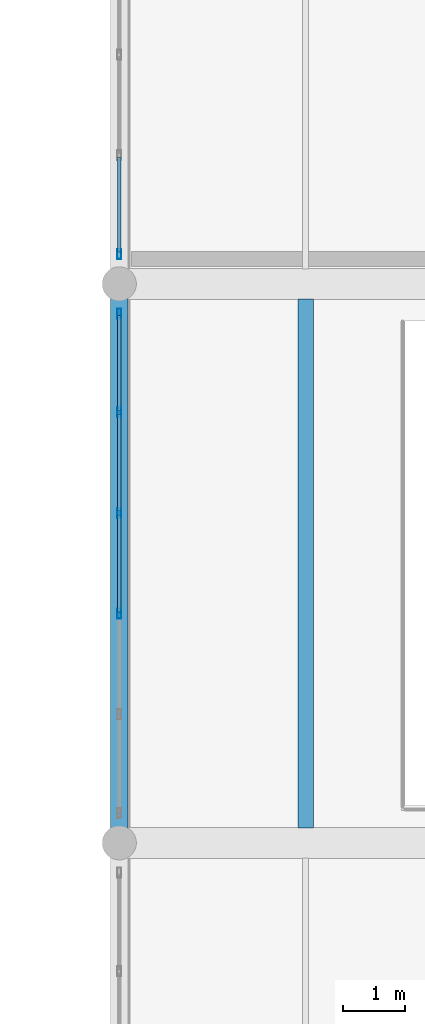
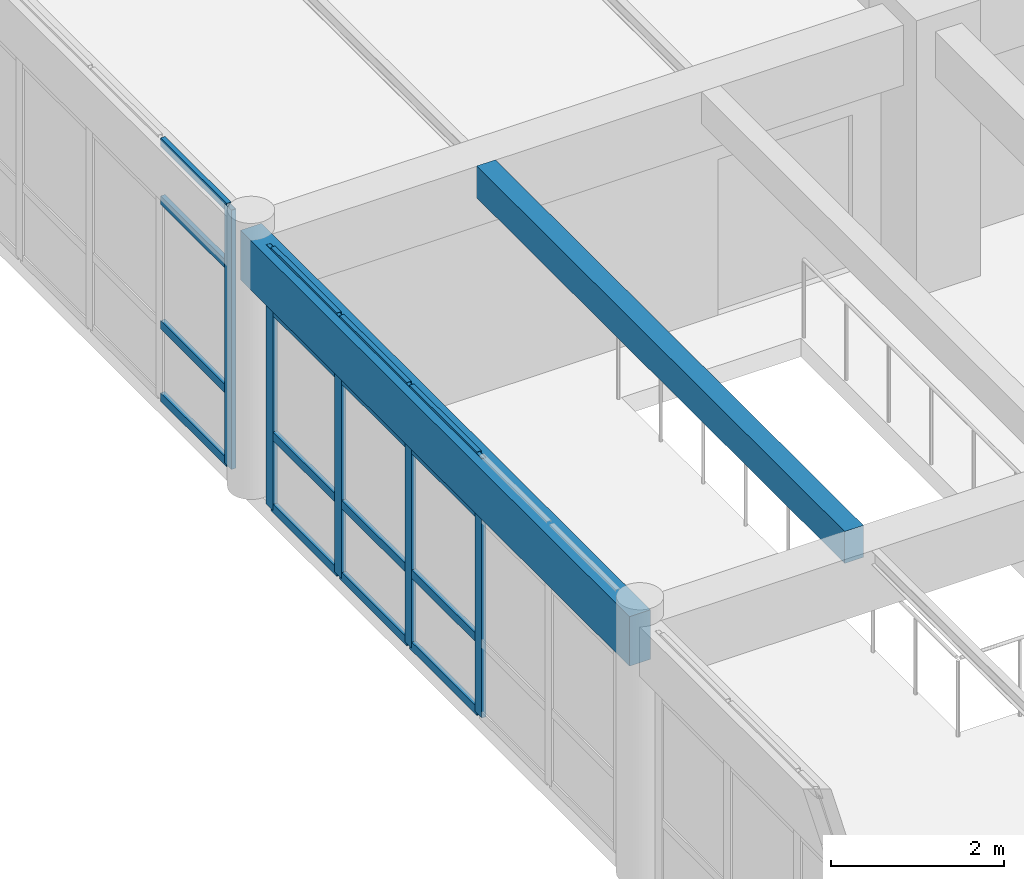
# One storey, part 37 of 156: 21 members, 2 beams, 2 elements without a shape of their own.
"""IFC4 building model written with IfcOpenShell, lengths in metres."""

from ifc_helpers import new_model, si_unit, direction, frame, origin, origin_2d, place, context, subcontext, project, spatial, rectangle, hollow_rectangle, extrude, material, layer, layer_set, material_profile, profile_set, type_object, element, aggregate, save


model = new_model("IFC4")

# Units and contexts
model_context = context("Model", 3, precision=1e-05, world=origin(), true_north=direction((0.0, 1.0)))
body_context = subcontext(model_context, "Body", "Model", "MODEL_VIEW")
ifc_project = project(units=[si_unit("LENGTHUNIT", "METRE"), si_unit("AREAUNIT", "SQUARE_METRE"), si_unit("VOLUMEUNIT", "CUBIC_METRE"), si_unit("PLANEANGLEUNIT", "RADIAN"), si_unit("MASSUNIT", "GRAM", prefix="KILO")], contexts=[model_context])

# Site, building, storey
site_placement = place(None, origin())
site = spatial("IfcSite", under=ifc_project, at=site_placement, CompositionType="ELEMENT")
building_placement = place(site_placement, origin())
building = spatial("IfcBuilding", under=site, at=building_placement, Name="Ornek Quay Market", CompositionType="ELEMENT")
storey_placement = place(building_placement, frame((0.0, 0.0, 4.5)))
storey = spatial("IfcBuildingStorey", under=building, at=storey_placement, Name="L01", CompositionType="ELEMENT", Elevation=4.5)

# Beams
ifc_material_1 = material(Name="Concrete C35/45", Category="concrete")
ifc_material_profile_1 = material_profile(ifc_material_1, rectangle(XDim=0.25, YDim=0.449951171875, at=origin_2d()), Name="RC 250x450", Category="concrete")
ifc_profile_set_1 = profile_set([ifc_material_profile_1], Name="Concrete C35/45")
beam_type_1 = type_object("IfcBeamType", Name="BM-SEC-250x450", PredefinedType="JOIST", material=ifc_profile_set_1)
beam_1_placement = place(storey_placement, frame((111.0, 47.241943359375, 3.43505859375), z_axis=(0.0, 1.0, 0.0), x_axis=(-1.0, 0.0, 0.0)))
element("IfcBeam", 1, at=beam_1_placement, inside=storey, type_object=beam_type_1, Name="Secondary joist B-SC3-027", PredefinedType="JOIST", context=body_context, shape_type="SweptSolid", body=[
    extrude(rectangle(XDim=0.25, YDim=0.449951171875, at=origin_2d()), origin(), (0.0, 0.0, 1.0), 8.51611328125),
])
ifc_material_profile_2 = material_profile(ifc_material_1, rectangle(XDim=0.280029296875, YDim=0.699951171875, at=origin_2d()), Name="RC 280x700", Category="concrete")
ifc_profile_set_2 = profile_set([ifc_material_profile_2], Name="Concrete C35/45")
beam_type_2 = type_object("IfcBeamType", Name="BM-SPN-280x700", PredefinedType="SPANDREL", material=ifc_profile_set_2)
beam_2_placement = place(storey_placement, frame((108.0, 47.0, 3.31005859375), z_axis=(0.0, 1.0, 0.0), x_axis=(-1.0, 0.0, 0.0)))
element("IfcBeam", 2, at=beam_2_placement, inside=storey, type_object=beam_type_2, Name="Primary beam B-SP2-075", PredefinedType="SPANDREL", context=body_context, shape_type="SweptSolid", body=[
    extrude(rectangle(XDim=0.280029296875, YDim=0.699951171875, at=origin_2d()), origin(), (0.0, 0.0, 1.0), 9.0),
])

# Curtain wall, members
ifc_material_2 = material(Name="Anodised bronze aluminium and triple low-e glass", Category="aluminium")
ifc_layer = layer(ifc_material_2, 0.139892578125, Name="Anodised bronze aluminium and triple low-e glass", Category="aluminium")
ifc_layer_set = layer_set([ifc_layer], Name="Anodised bronze aluminium and triple low-e glass")
curtain_wall_type = type_object("IfcCurtainWallType", Name="CW-GALLERY-INT", PredefinedType="USERDEFINED", material=ifc_layer_set)
curtain_wall_1_placement = place(storey_placement, origin())
curtain_wall_1 = element("IfcCurtainWall", 3, at=curtain_wall_1_placement, inside=storey, type_object=curtain_wall_type, Name="Curtain wall CW-105", ObjectType="CURTAIN WALL", PredefinedType="USERDEFINED")
ifc_material_3 = material(Name="Anodised aluminium 6063-T6", Category="aluminium")
ifc_material_profile_3 = material_profile(ifc_material_3, hollow_rectangle(XDim=0.06005859375, YDim=0.159912109375, WallThickness=0.00390625, at=origin_2d()), Name="CW-MUL-60x160", Category="aluminium")
ifc_profile_set_3 = profile_set([ifc_material_profile_3], Name="Anodised aluminium 6063-T6")
member_type_1 = type_object("IfcMemberType", Name="CW-MUL-60x160", PredefinedType="MULLION", material=ifc_profile_set_3)
member_1_placement = place(storey_placement, frame((108.0, 50.68994140625, 0.0), z_axis=(0.0, 0.0, 1.0), x_axis=(-1.0, 0.0, 0.0)))
member_1 = element("IfcMember", 4, at=member_1_placement, type_object=member_type_1, Name="CW-105 mullion 3", PredefinedType="MULLION", context=body_context, shape_type="SweptSolid", body=[
    extrude(hollow_rectangle(XDim=0.06005859375, YDim=0.159912109375, WallThickness=0.00390625, at=origin_2d()), origin(), (0.0, 0.0, 1.0), 3.659912109375),
])
member_2_placement = place(storey_placement, frame((108.0, 52.31005859375, 0.0), z_axis=(0.0, 0.0, 1.0), x_axis=(-1.0, 0.0, 0.0)))
member_2 = element("IfcMember", 5, at=member_2_placement, type_object=member_type_1, Name="CW-105 mullion 4", PredefinedType="MULLION", context=body_context, shape_type="SweptSolid", body=[
    extrude(hollow_rectangle(XDim=0.06005859375, YDim=0.159912109375, WallThickness=0.00390625, at=origin_2d()), origin(), (0.0, 0.0, 1.0), 3.659912109375),
])
member_3_placement = place(storey_placement, frame((108.0, 53.929931640625, 0.0), z_axis=(0.0, 0.0, 1.0), x_axis=(-1.0, 0.0, 0.0)))
member_3 = element("IfcMember", 6, at=member_3_placement, type_object=member_type_1, Name="CW-105 mullion 5", PredefinedType="MULLION", context=body_context, shape_type="SweptSolid", body=[
    extrude(hollow_rectangle(XDim=0.06005859375, YDim=0.159912109375, WallThickness=0.00390625, at=origin_2d()), origin(), (0.0, 0.0, 1.0), 3.659912109375),
])
member_4_placement = place(storey_placement, frame((108.0, 55.52001953125, 0.0), z_axis=(0.0, 0.0, 1.0), x_axis=(-1.0, 0.0, 0.0)))
member_4 = element("IfcMember", 7, at=member_4_placement, type_object=member_type_1, Name="CW-105 mullion 6", PredefinedType="MULLION", context=body_context, shape_type="SweptSolid", body=[
    extrude(hollow_rectangle(XDim=0.06005859375, YDim=0.159912109375, WallThickness=0.00390625, at=origin_2d()), origin(), (0.0, 0.0, 1.0), 3.659912109375),
])

# Curtain wall, member
curtain_wall_2_placement = place(storey_placement, origin())
curtain_wall_2 = element("IfcCurtainWall", 8, at=curtain_wall_2_placement, inside=storey, type_object=curtain_wall_type, Name="Curtain wall CW-106", ObjectType="CURTAIN WALL", PredefinedType="USERDEFINED")
member_5_placement = place(storey_placement, frame((108.0, 56.47998046875, 0.0), z_axis=(0.0, 0.0, 1.0), x_axis=(-1.0, 0.0, 0.0)))
member_5 = element("IfcMember", 9, at=member_5_placement, type_object=member_type_1, Name="CW-106 mullion 1", PredefinedType="MULLION", context=body_context, shape_type="SweptSolid", body=[
    extrude(hollow_rectangle(XDim=0.06005859375, YDim=0.159912109375, WallThickness=0.00390625, at=origin_2d()), origin(), (0.0, 0.0, 1.0), 3.659912109375),
])

# Member
ifc_material_profile_4 = material_profile(ifc_material_3, hollow_rectangle(XDim=0.06005859375, YDim=0.1201171875, WallThickness=0.00390625, at=origin_2d()), Name="CW-TRN-60x120", Category="aluminium")
ifc_profile_set_4 = profile_set([ifc_material_profile_4], Name="Anodised aluminium 6063-T6")
member_type_2 = type_object("IfcMemberType", Name="CW-TRN-60x120", PredefinedType="USERDEFINED", material=ifc_profile_set_4)
member_6_placement = place(storey_placement, frame((108.0, 50.719970703125, 0.030029296875), z_axis=(0.0, 1.0, 0.0), x_axis=(-1.0, 0.0, 0.0)))
member_6 = element("IfcMember", 10, at=member_6_placement, type_object=member_type_2, Name="CW-105 transom 3.1", ObjectType="TRANSOM", PredefinedType="USERDEFINED", context=body_context, shape_type="SweptSolid", body=[
    extrude(hollow_rectangle(XDim=0.06005859375, YDim=0.1201171875, WallThickness=0.00390625, at=origin_2d()), origin(), (0.0, 0.0, 1.0), 1.56005859375),
])

member_7_placement = place(storey_placement, frame((108.0, 50.719970703125, 1.050048828125), z_axis=(0.0, 1.0, 0.0), x_axis=(-1.0, 0.0, 0.0)))
member_7 = element("IfcMember", 11, at=member_7_placement, type_object=member_type_2, Name="CW-105 transom 3.2", ObjectType="TRANSOM", PredefinedType="USERDEFINED", context=body_context, shape_type="SweptSolid", body=[
    extrude(hollow_rectangle(XDim=0.06005859375, YDim=0.1201171875, WallThickness=0.00390625, at=origin_2d()), origin(), (0.0, 0.0, 1.0), 1.56005859375),
])

member_8_placement = place(storey_placement, frame((108.0, 50.719970703125, 2.81005859375), z_axis=(0.0, 1.0, 0.0), x_axis=(-1.0, 0.0, 0.0)))
member_8 = element("IfcMember", 12, at=member_8_placement, type_object=member_type_2, Name="CW-105 transom 3.3", ObjectType="TRANSOM", PredefinedType="USERDEFINED", context=body_context, shape_type="SweptSolid", body=[
    extrude(hollow_rectangle(XDim=0.06005859375, YDim=0.1201171875, WallThickness=0.00390625, at=origin_2d()), origin(), (0.0, 0.0, 1.0), 1.56005859375),
])

member_9_placement = place(storey_placement, frame((108.0, 50.719970703125, 3.6298828125), z_axis=(0.0, 1.0, 0.0), x_axis=(-1.0, 0.0, 0.0)))
member_9 = element("IfcMember", 13, at=member_9_placement, type_object=member_type_2, Name="CW-105 transom 3.4", ObjectType="TRANSOM", PredefinedType="USERDEFINED", context=body_context, shape_type="SweptSolid", body=[
    extrude(hollow_rectangle(XDim=0.06005859375, YDim=0.1201171875, WallThickness=0.00390625, at=origin_2d()), origin(), (0.0, 0.0, 1.0), 1.56005859375),
])

member_10_placement = place(storey_placement, frame((108.0, 52.340087890625, 0.030029296875), z_axis=(0.0, 1.0, 0.0), x_axis=(-1.0, 0.0, 0.0)))
member_10 = element("IfcMember", 14, at=member_10_placement, type_object=member_type_2, Name="CW-105 transom 4.1", ObjectType="TRANSOM", PredefinedType="USERDEFINED", context=body_context, shape_type="SweptSolid", body=[
    extrude(hollow_rectangle(XDim=0.06005859375, YDim=0.1201171875, WallThickness=0.00390625, at=origin_2d()), origin(), (0.0, 0.0, 1.0), 1.559814453125),
])

member_11_placement = place(storey_placement, frame((108.0, 52.340087890625, 1.050048828125), z_axis=(0.0, 1.0, 0.0), x_axis=(-1.0, 0.0, 0.0)))
member_11 = element("IfcMember", 15, at=member_11_placement, type_object=member_type_2, Name="CW-105 transom 4.2", ObjectType="TRANSOM", PredefinedType="USERDEFINED", context=body_context, shape_type="SweptSolid", body=[
    extrude(hollow_rectangle(XDim=0.06005859375, YDim=0.1201171875, WallThickness=0.00390625, at=origin_2d()), origin(), (0.0, 0.0, 1.0), 1.559814453125),
])

member_12_placement = place(storey_placement, frame((108.0, 52.340087890625, 2.81005859375), z_axis=(0.0, 1.0, 0.0), x_axis=(-1.0, 0.0, 0.0)))
member_12 = element("IfcMember", 16, at=member_12_placement, type_object=member_type_2, Name="CW-105 transom 4.3", ObjectType="TRANSOM", PredefinedType="USERDEFINED", context=body_context, shape_type="SweptSolid", body=[
    extrude(hollow_rectangle(XDim=0.06005859375, YDim=0.1201171875, WallThickness=0.00390625, at=origin_2d()), origin(), (0.0, 0.0, 1.0), 1.559814453125),
])

member_13_placement = place(storey_placement, frame((108.0, 52.340087890625, 3.6298828125), z_axis=(0.0, 1.0, 0.0), x_axis=(-1.0, 0.0, 0.0)))
member_13 = element("IfcMember", 17, at=member_13_placement, type_object=member_type_2, Name="CW-105 transom 4.4", ObjectType="TRANSOM", PredefinedType="USERDEFINED", context=body_context, shape_type="SweptSolid", body=[
    extrude(hollow_rectangle(XDim=0.06005859375, YDim=0.1201171875, WallThickness=0.00390625, at=origin_2d()), origin(), (0.0, 0.0, 1.0), 1.559814453125),
])

member_14_placement = place(storey_placement, frame((108.0, 53.9599609375, 0.030029296875), z_axis=(0.0, 1.0, 0.0), x_axis=(-1.0, 0.0, 0.0)))
member_14 = element("IfcMember", 18, at=member_14_placement, type_object=member_type_2, Name="CW-105 transom 5.1", ObjectType="TRANSOM", PredefinedType="USERDEFINED", context=body_context, shape_type="SweptSolid", body=[
    extrude(hollow_rectangle(XDim=0.06005859375, YDim=0.1201171875, WallThickness=0.00390625, at=origin_2d()), origin(), (0.0, 0.0, 1.0), 1.530029296875),
])

member_15_placement = place(storey_placement, frame((108.0, 53.9599609375, 1.050048828125), z_axis=(0.0, 1.0, 0.0), x_axis=(-1.0, 0.0, 0.0)))
member_15 = element("IfcMember", 19, at=member_15_placement, type_object=member_type_2, Name="CW-105 transom 5.2", ObjectType="TRANSOM", PredefinedType="USERDEFINED", context=body_context, shape_type="SweptSolid", body=[
    extrude(hollow_rectangle(XDim=0.06005859375, YDim=0.1201171875, WallThickness=0.00390625, at=origin_2d()), origin(), (0.0, 0.0, 1.0), 1.530029296875),
])

member_16_placement = place(storey_placement, frame((108.0, 53.9599609375, 2.81005859375), z_axis=(0.0, 1.0, 0.0), x_axis=(-1.0, 0.0, 0.0)))
member_16 = element("IfcMember", 20, at=member_16_placement, type_object=member_type_2, Name="CW-105 transom 5.3", ObjectType="TRANSOM", PredefinedType="USERDEFINED", context=body_context, shape_type="SweptSolid", body=[
    extrude(hollow_rectangle(XDim=0.06005859375, YDim=0.1201171875, WallThickness=0.00390625, at=origin_2d()), origin(), (0.0, 0.0, 1.0), 1.530029296875),
])

member_17_placement = place(storey_placement, frame((108.0, 53.9599609375, 3.6298828125), z_axis=(0.0, 1.0, 0.0), x_axis=(-1.0, 0.0, 0.0)))
member_17 = element("IfcMember", 21, at=member_17_placement, type_object=member_type_2, Name="CW-105 transom 5.4", ObjectType="TRANSOM", PredefinedType="USERDEFINED", context=body_context, shape_type="SweptSolid", body=[
    extrude(hollow_rectangle(XDim=0.06005859375, YDim=0.1201171875, WallThickness=0.00390625, at=origin_2d()), origin(), (0.0, 0.0, 1.0), 1.530029296875),
])

aggregate(curtain_wall_1, [member_1, member_2, member_3, member_4, member_6, member_7, member_8, member_9, member_10, member_11, member_12, member_13, member_14, member_15, member_16, member_17])

member_18_placement = place(storey_placement, frame((108.0, 56.510009765625, 0.030029296875), z_axis=(0.0, 1.0, 0.0), x_axis=(-1.0, 0.0, 0.0)))
member_18 = element("IfcMember", 22, at=member_18_placement, type_object=member_type_2, Name="CW-106 transom 1.1", ObjectType="TRANSOM", PredefinedType="USERDEFINED", context=body_context, shape_type="SweptSolid", body=[
    extrude(hollow_rectangle(XDim=0.06005859375, YDim=0.1201171875, WallThickness=0.00390625, at=origin_2d()), origin(), (0.0, 0.0, 1.0), 1.530029296875),
])

member_19_placement = place(storey_placement, frame((108.0, 56.510009765625, 1.050048828125), z_axis=(0.0, 1.0, 0.0), x_axis=(-1.0, 0.0, 0.0)))
member_19 = element("IfcMember", 23, at=member_19_placement, type_object=member_type_2, Name="CW-106 transom 1.2", ObjectType="TRANSOM", PredefinedType="USERDEFINED", context=body_context, shape_type="SweptSolid", body=[
    extrude(hollow_rectangle(XDim=0.06005859375, YDim=0.1201171875, WallThickness=0.00390625, at=origin_2d()), origin(), (0.0, 0.0, 1.0), 1.530029296875),
])

member_20_placement = place(storey_placement, frame((108.0, 56.510009765625, 2.81005859375), z_axis=(0.0, 1.0, 0.0), x_axis=(-1.0, 0.0, 0.0)))
member_20 = element("IfcMember", 24, at=member_20_placement, type_object=member_type_2, Name="CW-106 transom 1.3", ObjectType="TRANSOM", PredefinedType="USERDEFINED", context=body_context, shape_type="SweptSolid", body=[
    extrude(hollow_rectangle(XDim=0.06005859375, YDim=0.1201171875, WallThickness=0.00390625, at=origin_2d()), origin(), (0.0, 0.0, 1.0), 1.530029296875),
])

member_21_placement = place(storey_placement, frame((108.0, 56.510009765625, 3.6298828125), z_axis=(0.0, 1.0, 0.0), x_axis=(-1.0, 0.0, 0.0)))
member_21 = element("IfcMember", 25, at=member_21_placement, type_object=member_type_2, Name="CW-106 transom 1.4", ObjectType="TRANSOM", PredefinedType="USERDEFINED", context=body_context, shape_type="SweptSolid", body=[
    extrude(hollow_rectangle(XDim=0.06005859375, YDim=0.1201171875, WallThickness=0.00390625, at=origin_2d()), origin(), (0.0, 0.0, 1.0), 1.530029296875),
])

aggregate(curtain_wall_2, [member_5, member_18, member_19, member_20, member_21])

save(model, "model.ifc")
